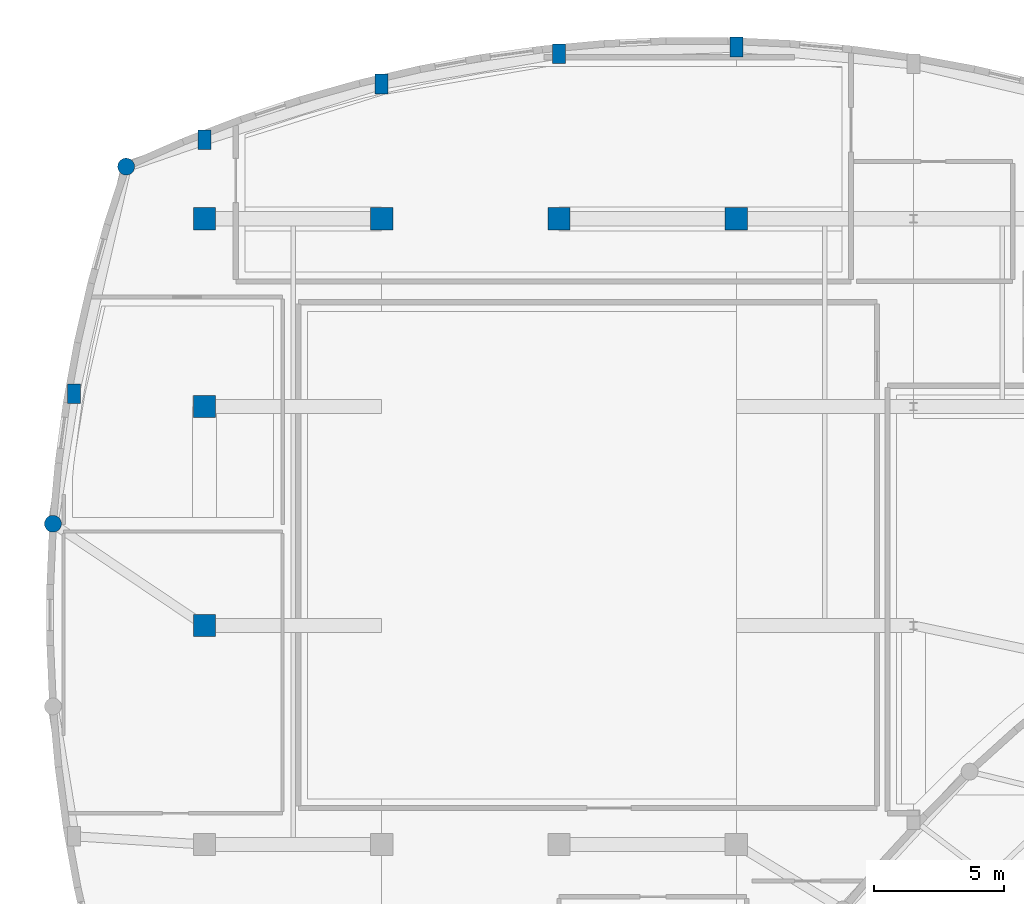
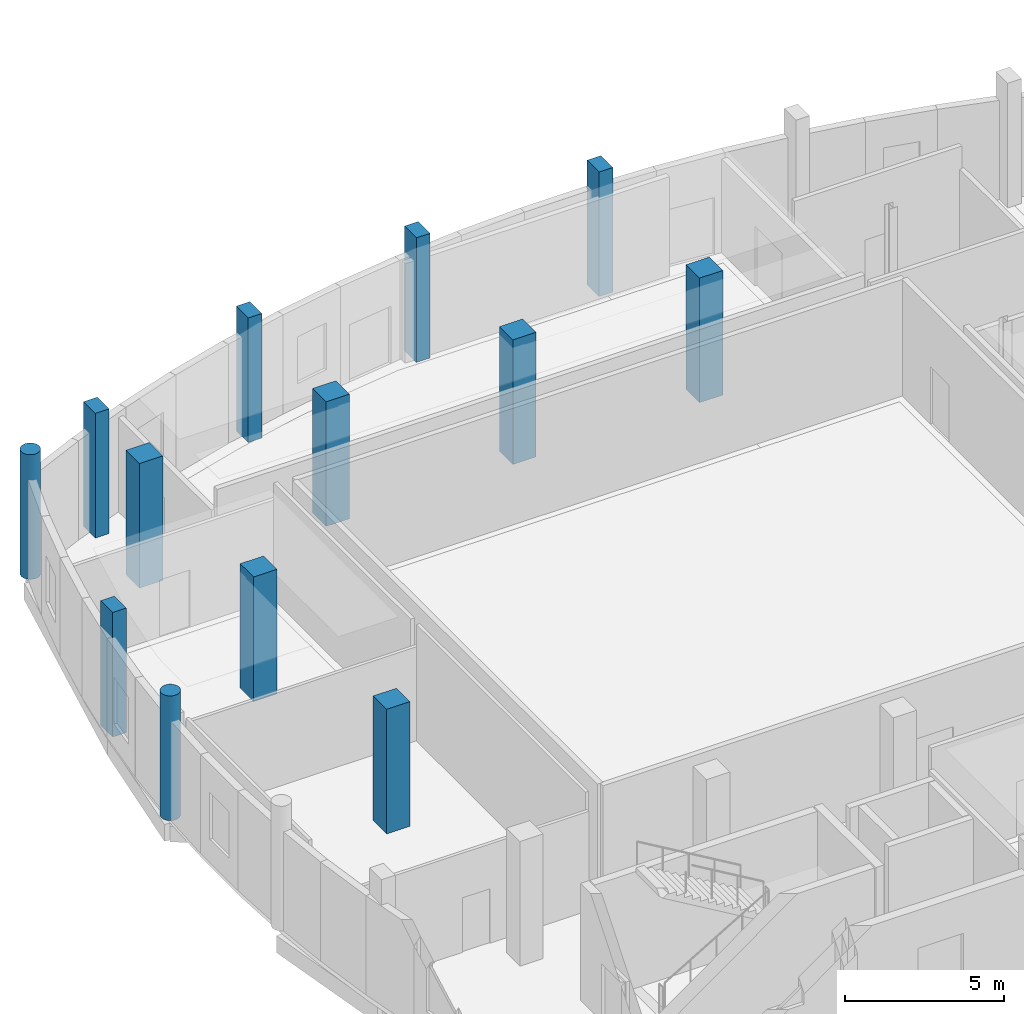
# One storey, part 10 of 97: 13 columns.
"""IFC4 building model written with IfcOpenShell, lengths in metres."""

from ifc_helpers import new_model, si_unit, direction, frame, origin, origin_2d, place, context, subcontext, project, spatial, rectangle, circle, extrude, material, material_profile, profile_set, type_object, element, save


model = new_model("IFC4")

# Units and contexts
model_context = context("Model", 3, precision=1e-05, world=origin(), true_north=direction((0.0, 1.0)))
body_context = subcontext(model_context, "Body", "Model", "MODEL_VIEW")
ifc_project = project(units=[si_unit("LENGTHUNIT", "METRE"), si_unit("AREAUNIT", "SQUARE_METRE"), si_unit("VOLUMEUNIT", "CUBIC_METRE"), si_unit("PLANEANGLEUNIT", "RADIAN"), si_unit("MASSUNIT", "GRAM", prefix="KILO")], contexts=[model_context])

# Site, building, storey
site_placement = place(None, origin())
site = spatial("IfcSite", under=ifc_project, at=site_placement, CompositionType="ELEMENT")
building_placement = place(site_placement, origin())
building = spatial("IfcBuilding", under=site, at=building_placement, Name="Kisaragi Civic Commons", CompositionType="ELEMENT")
storey_placement = place(building_placement, origin())
storey = spatial("IfcBuildingStorey", under=building, at=storey_placement, Name="L00", CompositionType="ELEMENT", Elevation=0.0)

# Columns
ifc_material_1 = material(Name="Concrete Fc36", Category="concrete")
ifc_material_profile_1 = material_profile(ifc_material_1, rectangle(XDim=0.85009765625, YDim=0.85009765625, at=origin_2d()), Name="RC-850x850", Category="concrete")
ifc_profile_set_1 = profile_set([ifc_material_profile_1], Name="Concrete Fc36")
column_type_1 = type_object("IfcColumnType", Name="C-01", PredefinedType="COLUMN", material=ifc_profile_set_1)
for number, where, z_axis, x_axis, name in (
    (1, (6.800048828125, 96.0, 0.0), (0.0, 0.0, 1.0), (1.0, 0.0, 0.0), "L00 column C-01 (6.8,96.0)"),
    (2, (6.800048828125, 104.39990234375, 0.0), (0.0, 0.0, 1.0), (1.0, 0.0, 0.0), "L00 column C-01 (6.8,104.4)"),
    (3, (6.800048828125, 111.60009765625, 0.0), (0.0, 0.0, 1.0), (1.0, 0.0, 0.0), "L00 column C-01 (6.8,111.6)"),
    (4, (13.60009765625, 111.60009765625, 0.0), (0.0, 0.0, 1.0), (1.0, 0.0, 0.0), "L00 column C-01 (13.6,111.6)"),
    (5, (20.39990234375, 111.60009765625, 0.0), (0.0, 0.0, 1.0), (1.0, 0.0, 0.0), "L00 column C-01 (20.4,111.6)"),
    (6, (27.199951171875, 111.60009765625, 0.0), (0.0, 0.0, 1.0), (1.0, 0.0, 0.0), "L00 column C-01 (27.2,111.6)"),
):
    element("IfcColumn", number, at=place(storey_placement, frame(where, z_axis=z_axis, x_axis=x_axis)), inside=storey, type_object=column_type_1, Name=name, PredefinedType="COLUMN", context=body_context, shape_type="SweptSolid", body=[
        extrude(rectangle(XDim=0.85009765625, YDim=0.85009765625, at=origin_2d()), origin(), (0.0, 0.0, 1.0), 4.800048828125),
    ])
ifc_material_2 = material(Name="Concrete Fc30", Category="concrete")
ifc_material_profile_2 = material_profile(ifc_material_2, rectangle(XDim=0.5, YDim=0.75, at=origin_2d()), Name="RC-500x750", Category="concrete")
ifc_profile_set_2 = profile_set([ifc_material_profile_2], Name="Concrete Fc30")
column_type_2 = type_object("IfcColumnType", Name="C-10", PredefinedType="COLUMN", material=ifc_profile_set_2)
for number, where, z_axis, x_axis, name in (
    (7, (1.800048828125, 104.8837890625, 0.0), (0.0, 0.0, 1.0), (1.0, 0.0, 0.0), "L00 column C-10 (1.8,104.9)"),
    (8, (6.800048828125, 114.631103515625, 0.0), (0.0, 0.0, 1.0), (1.0, 0.0, 0.0), "L00 column C-10 (6.8,114.6)"),
    (9, (13.60009765625, 116.770263671875, 0.0), (0.0, 0.0, 1.0), (1.0, 0.0, 0.0), "L00 column C-10 (13.6,116.8)"),
    (10, (20.39990234375, 117.93408203125, 0.0), (0.0, 0.0, 1.0), (1.0, 0.0, 0.0), "L00 column C-10 (20.4,117.9)"),
    (11, (27.199951171875, 118.1884765625, 0.0), (0.0, 0.0, 1.0), (1.0, 0.0, 0.0), "L00 column C-10 (27.2,118.2)"),
):
    element("IfcColumn", number, at=place(storey_placement, frame(where, z_axis=z_axis, x_axis=x_axis)), inside=storey, type_object=column_type_2, Name=name, PredefinedType="COLUMN", context=body_context, shape_type="SweptSolid", body=[
        extrude(rectangle(XDim=0.5, YDim=0.75, at=origin_2d()), origin(), (0.0, 0.0, 1.0), 4.800048828125),
    ])
ifc_material_profile_3 = material_profile(ifc_material_2, circle(Radius=0.324951171875, at=origin_2d()), Name="RC-D650", Category="concrete")
ifc_profile_set_3 = profile_set([ifc_material_profile_3], Name="Concrete Fc30")
column_type_3 = type_object("IfcColumnType", Name="C-12", PredefinedType="COLUMN", material=ifc_profile_set_3)
for number, where, z_axis, x_axis, name in (
    (12, (0.9912109375, 99.9033203125, 0.0), (0.0, 0.0, 1.0), (1.0, 0.0, 0.0), "L00 column C-12 (1.0,99.9)"),
    (13, (3.800048828125, 113.60009765625, 0.0), (0.0, 0.0, 1.0), (1.0, 0.0, 0.0), "L00 column C-12 (3.8,113.6)"),
):
    element("IfcColumn", number, at=place(storey_placement, frame(where, z_axis=z_axis, x_axis=x_axis)), inside=storey, type_object=column_type_3, Name=name, PredefinedType="COLUMN", context=body_context, shape_type="SweptSolid", body=[
        extrude(circle(Radius=0.324951171875, at=origin_2d()), origin(), (0.0, 0.0, 1.0), 4.800048828125),
    ])

save(model, "model.ifc")
